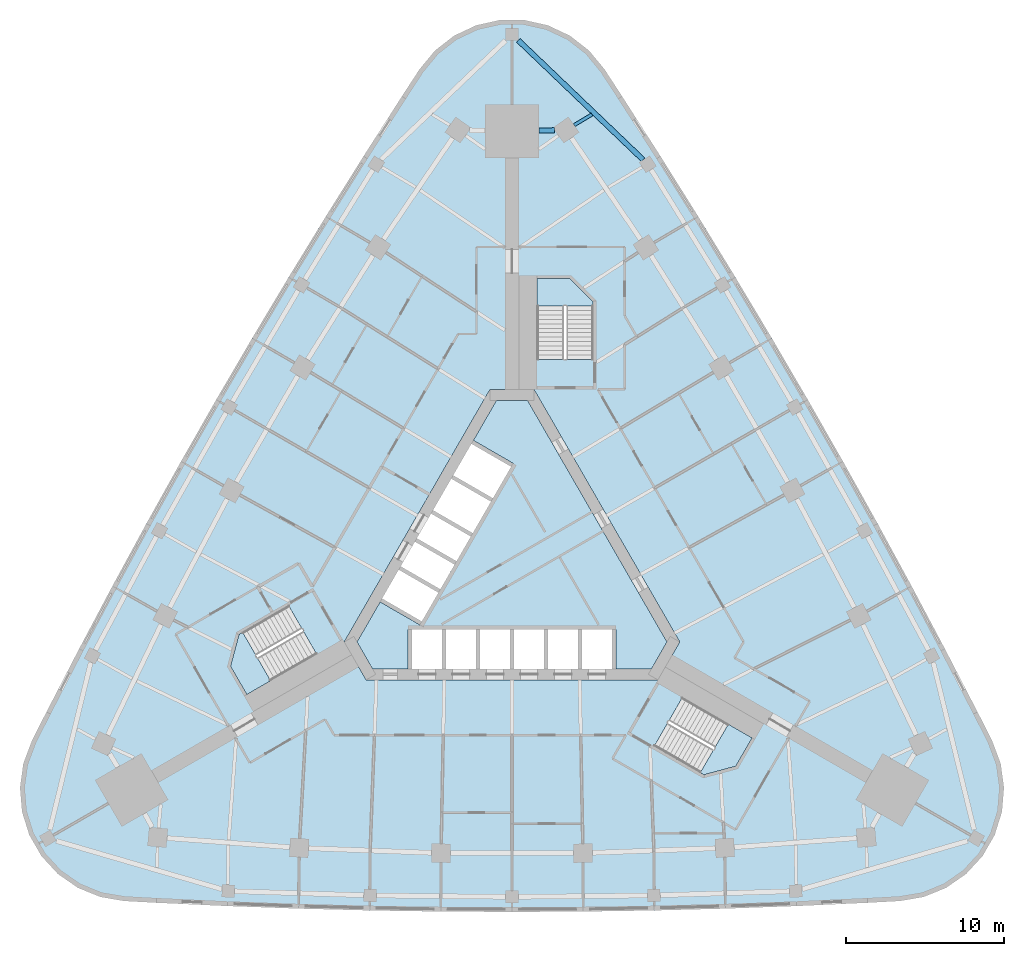
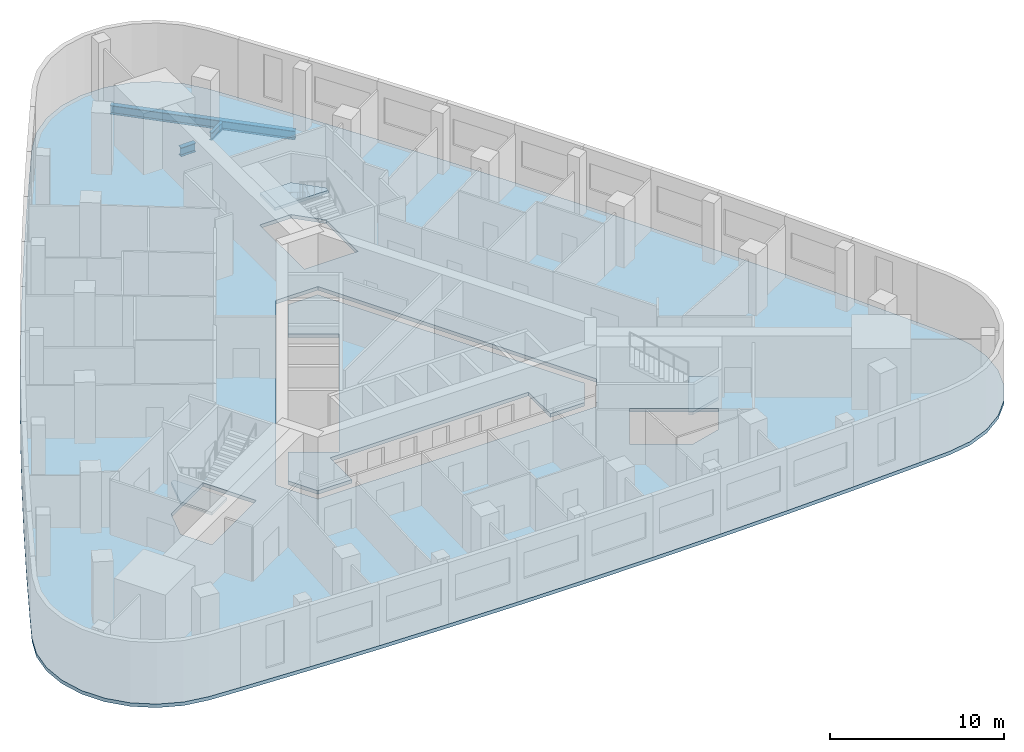
# One storey, part 3 of 11: 5 slabs, 3 beams, 3 elements without a shape of their own.
"""IFC4 building model written with IfcOpenShell, lengths in metres."""

from ifc_helpers import new_model, si_unit, direction, frame, origin, origin_2d, place, context, subcontext, project, spatial, polyline, i_section, outline, extrude, material, layer, layer_set, material_profile, profile_set, type_object, element, aggregate, save


model = new_model("IFC4")

# Units and contexts
model_context = context("Model", 3, precision=1e-05, world=origin(), true_north=direction((0.0, 1.0)))
body_context = subcontext(model_context, "Body", "Model", "MODEL_VIEW")
ifc_project = project(units=[si_unit("LENGTHUNIT", "METRE"), si_unit("AREAUNIT", "SQUARE_METRE"), si_unit("VOLUMEUNIT", "CUBIC_METRE"), si_unit("PLANEANGLEUNIT", "RADIAN"), si_unit("MASSUNIT", "GRAM", prefix="KILO")], contexts=[model_context])

# Site, building, storey
site_placement = place(None, origin())
site = spatial("IfcSite", under=ifc_project, at=site_placement, CompositionType="ELEMENT")
building_placement = place(site_placement, origin())
building = spatial("IfcBuilding", under=site, at=building_placement, Name="Noor Cloister Tower", CompositionType="ELEMENT")
storey_placement = place(building_placement, frame((0.0, 0.0, 19.5)))
storey = spatial("IfcBuildingStorey", under=building, at=storey_placement, Name="L04", CompositionType="ELEMENT", Elevation=19.5)

# Beams
ifc_material_1 = material(Name="Steel ASTM A992 Gr 50", Category="steel")
ifc_material_profile_1 = material_profile(ifc_material_1, i_section(OverallWidth=0.324951171875, OverallDepth=0.612060546875, WebThickness=0.0126953125, FlangeThickness=0.01904296875, FilletRadius=0.0126953125, at=origin_2d()), Name="W610x155")
ifc_profile_set_1 = profile_set([ifc_material_profile_1], Name="Steel ASTM A992 Gr 50")
beam_type_1 = type_object("IfcBeamType", Name="Podium column line beam W610x155", PredefinedType="BEAM", material=ifc_profile_set_1)
beam_1_placement = place(storey_placement, frame((2.6962890625, 27.8447265625, -0.555908203125), z_axis=(-0.999788233423, -0.020578831563, 0.0), x_axis=(0.020578831563, -0.999788233423, 0.0)))
element("IfcBeam", 1, at=beam_1_placement, inside=storey, type_object=beam_type_1, Name="Podium end beam NE 10 L04", PredefinedType="BEAM", context=body_context, shape_type="SweptSolid", body=[
    extrude(i_section(OverallWidth=0.324951171875, OverallDepth=0.612060546875, WebThickness=0.0126953125, FlangeThickness=0.01904296875, FilletRadius=0.0126953125, at=origin_2d()), origin(), (0.0, 0.0, 1.0), 0.99658203125),
])
ifc_material_2 = material(Name="Steel ASTM A992 Gr 50", Category="steel")
ifc_material_profile_2 = material_profile(ifc_material_2, i_section(OverallWidth=0.324951171875, OverallDepth=0.616943359375, WebThickness=0.013916015625, FlangeThickness=0.021484375, FilletRadius=0.0126953125, at=origin_2d()), Name="W610x174")
ifc_profile_set_2 = profile_set([ifc_material_profile_2], Name="Steel ASTM A992 Gr 50")
beam_type_2 = type_object("IfcBeamType", Name="Podium perimeter beam W610x174", PredefinedType="BEAM", material=ifc_profile_set_2)
beam_2_placement = place(storey_placement, frame((8.29443359375, 25.979248046875, -0.55859375), z_axis=(-0.722642827837, 0.691221631154, 0.0), x_axis=(-0.691221631154, -0.722642827837, 0.0)))
element("IfcBeam", 2, at=beam_2_placement, inside=storey, type_object=beam_type_2, Name="Podium perimeter beam 18 L04", PredefinedType="BEAM", context=body_context, shape_type="SweptSolid", body=[
    extrude(i_section(OverallWidth=0.324951171875, OverallDepth=0.616943359375, WebThickness=0.013916015625, FlangeThickness=0.021484375, FilletRadius=0.0126953125, at=origin_2d()), origin(), (0.0, 0.0, 1.0), 10.924560546875),
])
ifc_material_3 = material(Name="Steel ASTM A992 Gr 50", Category="steel")
ifc_material_profile_3 = material_profile(ifc_material_3, i_section(OverallWidth=0.208984375, OverallDepth=0.532958984375, WebThickness=0.01025390625, FlangeThickness=0.015625, FilletRadius=0.0126953125, at=origin_2d()), Name="W530x92")
ifc_profile_set_3 = profile_set([ifc_material_profile_3], Name="Steel ASTM A992 Gr 50")
beam_type_3 = type_object("IfcBeamType", Name="Podium stub beam W530x92", PredefinedType="BEAM", material=ifc_profile_set_3)
beam_3_placement = place(storey_placement, frame((3.936767578125, 28.169921875, -0.5166015625), z_axis=(0.85703318355, 0.515261217534, 0.0), x_axis=(-0.515261217534, 0.85703318355, 0.0)))
element("IfcBeam", 3, at=beam_3_placement, inside=storey, type_object=beam_type_3, Name="Podium stub beam NE 10 L04", PredefinedType="BEAM", context=body_context, shape_type="SweptSolid", body=[
    extrude(i_section(OverallWidth=0.208984375, OverallDepth=0.532958984375, WebThickness=0.01025390625, FlangeThickness=0.015625, FilletRadius=0.0126953125, at=origin_2d()), origin(), (0.0, 0.0, 1.0), 1.31298828125),
])

# Slabs
ifc_material_4 = material(Name="Concrete C40/50", Category="concrete")
ifc_layer_1 = layer(ifc_material_4, 0.25)
ifc_layer_set_1 = layer_set([ifc_layer_1], Name="Core floor slab 250 C40/50")
slab_type_1 = type_object("IfcSlabType", Name="Core floor slab 250 C40/50", PredefinedType="FLOOR", material=ifc_layer_set_1)
slab_1_placement = place(storey_placement, frame((0.0, 0.0, -0.25)))
element("IfcSlab", 4, at=slab_1_placement, inside=storey, type_object=slab_type_1, Name="Core floor L04", PredefinedType="FLOOR", context=body_context, shape_type="SweptSolid", body=[
    extrude(outline(polyline([(-6.574951171875, -6.228271484375), (-6.574951171875, -3.728271484375), (6.574951171875, -3.728271484375), (6.574951171875, -6.228271484375), (8.82470703125, -6.228271484375), (9.80615234375, -4.5283203125), (0.9814453125, 10.75634765625), (-0.9814453125, 10.75634765625), (-2.44384765625, 8.2236328125), (0.067626953125, 6.773681640625), (-5.832275390625, -3.4453125), (-8.34375, -1.995361328125), (-9.80615234375, -4.5283203125), (-8.82470703125, -6.228271484375), (-6.574951171875, -6.228271484375)])), origin(), (0.0, 0.0, 1.0), 0.25),
])
ifc_material_5 = material(Name="Concrete C40/50", Category="concrete")
ifc_layer_2 = layer(ifc_material_5, 0.25)
ifc_layer_set_2 = layer_set([ifc_layer_2], Name="Podium floor slab 250")
slab_type_2 = type_object("IfcSlabType", Name="Podium floor slab 250", PredefinedType="FLOOR", material=ifc_layer_set_2)
slab_2_placement = place(storey_placement, frame((0.0, 0.0, -0.25)))
element("IfcSlab", 5, at=slab_2_placement, inside=storey, type_object=slab_type_2, Name="Floor slab L04", PredefinedType="FLOOR", context=body_context, shape_type="SweptSolid", body=[
    extrude(outline(polyline([(5.85693359375, 31.69677734375), (4.877685546875, 32.884033203125), (3.662841796875, 33.828369140625), (2.27099609375, 34.484619140625), (0.769287109375, 34.82080078125), (-0.769287109375, 34.82080078125), (-2.27099609375, 34.484619140625), (-3.662841796875, 33.828369140625), (-4.877685546875, 32.884033203125), (-5.85693359375, 31.69677734375), (-6.96728515625, 29.991943359375), (-9.394775390625, 26.202880859375), (-11.783447265625, 22.38916015625), (-14.1328125, 18.551025390625), (-16.4423828125, 14.689208984375), (-18.71240234375, 10.8037109375), (-20.9423828125, 6.89501953125), (-23.132080078125, 2.963623046875), (-25.28125, -0.98974609375), (-27.389892578125, -4.96533203125), (-29.457275390625, -8.962158203125), (-30.378662109375, -10.7763671875), (-30.917236328125, -12.2177734375), (-31.127685546875, -13.7421875), (-31.0, -15.275634765625), (-30.540283203125, -16.744140625), (-29.77099609375, -18.07666015625), (-28.72900390625, -19.208984375), (-27.46484375, -20.086181640625), (-26.03955078125, -20.666259765625), (-24.52197265625, -20.920654296875), (-22.490234375, -21.02978515625), (-17.994873046875, -21.237548828125), (-13.497802734375, -21.3994140625), (-8.999267578125, -21.514892578125), (-4.5, -21.584228515625), (0.0, -21.607177734375), (4.5, -21.584228515625), (8.999267578125, -21.514892578125), (13.497802734375, -21.3994140625), (17.994873046875, -21.237548828125), (22.490234375, -21.02978515625), (24.52197265625, -20.920654296875), (26.03955078125, -20.666259765625), (27.46484375, -20.086181640625), (28.72900390625, -19.208984375), (29.77099609375, -18.07666015625), (30.540283203125, -16.744140625), (31.0, -15.275634765625), (31.127685546875, -13.7421875), (30.917236328125, -12.2177734375), (30.378662109375, -10.7763671875), (29.457275390625, -8.962158203125), (27.389892578125, -4.96533203125), (25.28125, -0.98974609375), (23.132080078125, 2.963623046875), (20.9423828125, 6.89501953125), (18.71240234375, 10.8037109375), (16.4423828125, 14.689208984375), (14.1328125, 18.551025390625), (11.783447265625, 22.38916015625), (9.394775390625, 26.202880859375), (6.96728515625, 29.991943359375), (5.85693359375, 31.69677734375)]), holes=[polyline([(-9.228759765625, -6.92822265625), (9.228759765625, -6.92822265625), (10.6142578125, -4.5283203125), (1.3857421875, 11.456298828125), (-1.3857421875, 11.456298828125), (-10.6142578125, -4.5283203125), (-9.228759765625, -6.92822265625)]), polyline([(1.585693359375, 18.456298828125), (1.585693359375, 13.35693359375), (5.135498046875, 13.35693359375), (5.135498046875, 16.9736328125), (3.65283203125, 18.456298828125), (1.585693359375, 18.456298828125)]), polyline([(-16.776611328125, -7.85498046875), (-12.3603515625, -5.305419921875), (-14.13525390625, -2.23095703125), (-16.662841796875, -3.690185546875), (-17.267333984375, -4.039306640625), (-17.81005859375, -6.064697265625), (-16.776611328125, -7.85498046875)]), polyline([(12.131591796875, -12.934326171875), (14.1572265625, -12.3916015625), (15.19091796875, -10.601318359375), (10.774658203125, -8.0517578125), (8.999755859375, -11.126220703125), (12.131591796875, -12.934326171875)])]), origin(), (0.0, 0.0, 1.0), 0.25),
])

# Stair, slab
ifc_material_6 = material(Name="Concrete C40/50", Category="concrete")
stair_type = type_object("IfcStairType", Name="Exit stair 26 risers", PredefinedType="HALF_TURN_STAIR", material=ifc_material_6)
stair_1_placement = place(storey_placement, origin())
stair_1 = element("IfcStair", 6, at=stair_1_placement, inside=storey, type_object=stair_type, Name="Exit stair ST1 L04", PredefinedType="HALF_TURN_STAIR")
ifc_material_7 = material(Name="Concrete C40/50", Category="concrete")
ifc_layer_3 = layer(ifc_material_7, 0.199951171875)
ifc_layer_set_3 = layer_set([ifc_layer_3], Name="Stair landing 200 C40/50")
slab_type_3 = type_object("IfcSlabType", Name="Stair landing 200 C40/50", PredefinedType="LANDING", material=ifc_layer_set_3)
slab_3_placement = place(storey_placement, frame((0.0, 0.0, 2.050048828125)))
slab_3 = element("IfcSlab", 7, at=slab_3_placement, type_object=slab_type_3, Name="ST1 landing 1", PredefinedType="LANDING", context=body_context, shape_type="SweptSolid", body=[
    extrude(outline(polyline([(5.135498046875, 16.7158203125), (5.135498046875, 16.9736328125), (3.65283203125, 18.456298828125), (1.585693359375, 18.456298828125), (1.585693359375, 16.7158203125), (5.135498046875, 16.7158203125)])), origin(), (0.0, 0.0, 1.0), 0.199951171875),
])
aggregate(stair_1, [slab_3])

stair_2_placement = place(storey_placement, origin())
stair_2 = element("IfcStair", 8, at=stair_2_placement, inside=storey, type_object=stair_type, Name="Exit stair ST2 L04", PredefinedType="HALF_TURN_STAIR")
slab_4_placement = place(storey_placement, frame((0.0, 0.0, 2.050048828125)))
slab_4 = element("IfcSlab", 9, at=slab_4_placement, type_object=slab_type_3, Name="ST2 landing 1", PredefinedType="LANDING", context=body_context, shape_type="SweptSolid", body=[
    extrude(outline(polyline([(-17.044189453125, -3.910400390625), (-17.267333984375, -4.039306640625), (-17.81005859375, -6.064697265625), (-16.776611328125, -7.85498046875), (-15.26904296875, -6.984619140625), (-17.044189453125, -3.910400390625)])), origin(), (0.0, 0.0, 1.0), 0.199951171875),
])
aggregate(stair_2, [slab_4])

stair_3_placement = place(storey_placement, origin())
stair_3 = element("IfcStair", 10, at=stair_3_placement, inside=storey, type_object=stair_type, Name="Exit stair ST3 L04", PredefinedType="HALF_TURN_STAIR")
slab_5_placement = place(storey_placement, frame((0.0, 0.0, 2.050048828125)))
slab_5 = element("IfcSlab", 11, at=slab_5_placement, type_object=slab_type_3, Name="ST3 landing 1", PredefinedType="LANDING", context=body_context, shape_type="SweptSolid", body=[
    extrude(outline(polyline([(11.908447265625, -12.805419921875), (12.131591796875, -12.934326171875), (14.1572265625, -12.3916015625), (15.19091796875, -10.601318359375), (13.68359375, -9.731201171875), (11.908447265625, -12.805419921875)])), origin(), (0.0, 0.0, 1.0), 0.199951171875),
])
aggregate(stair_3, [slab_5])

save(model, "model.ifc")
